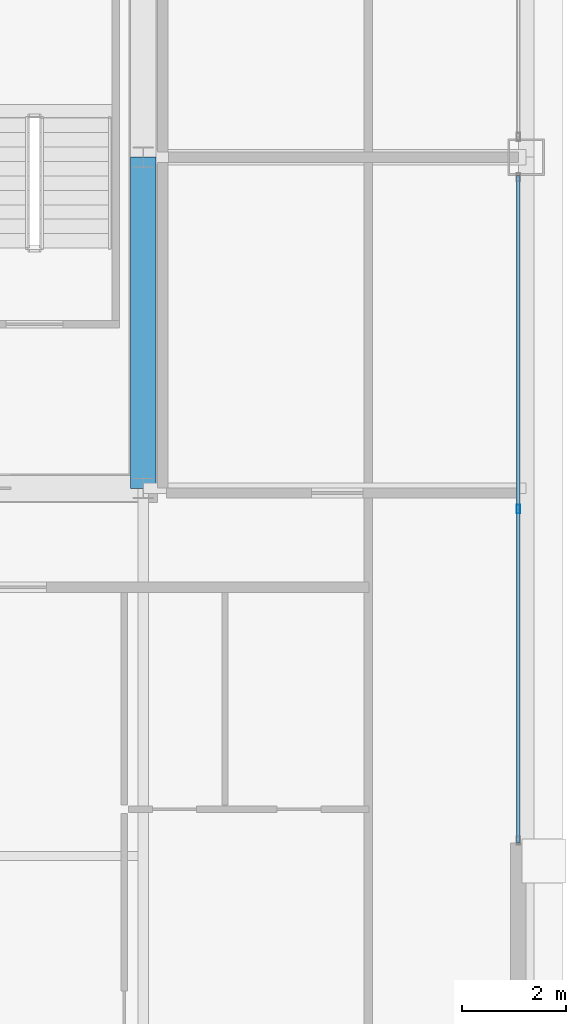
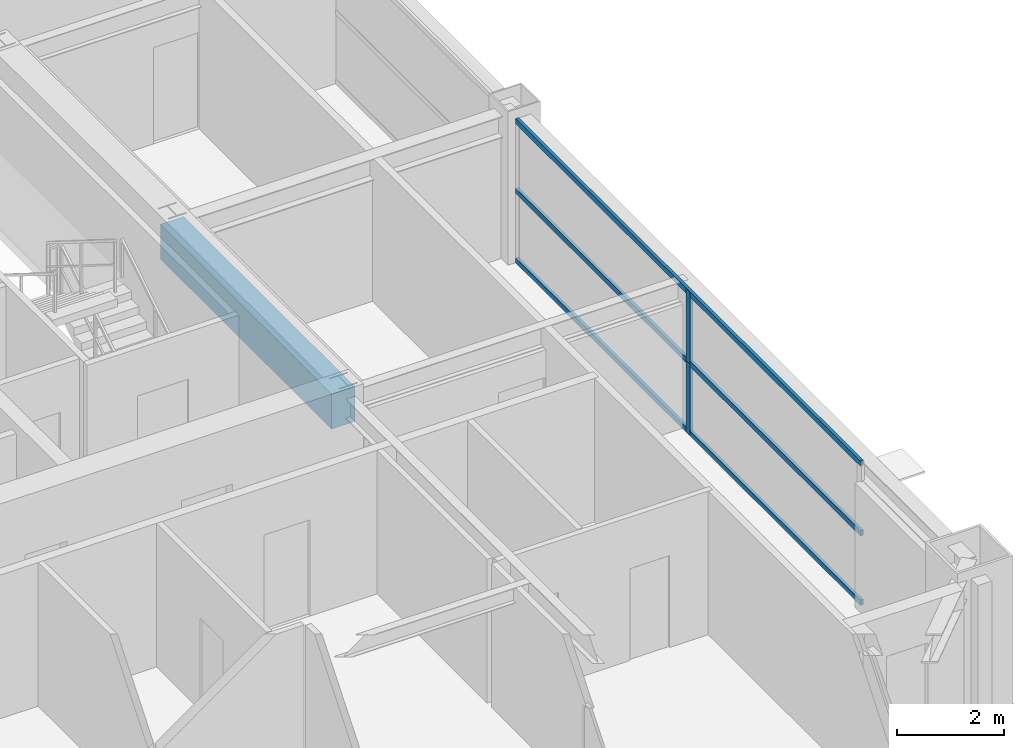
# One storey, part 19 of 36: 5 members, 1 beam, 1 element without a shape of its own.
"""IFC4 building model written with IfcOpenShell, lengths in metres."""

from ifc_helpers import new_model, si_unit, direction, frame, origin, origin_2d, place, context, subcontext, project, spatial, rectangle, hollow_rectangle, extrude, source, transform, mapped, material, layer, layer_set, material_profile, profile_set, type_object, element, aggregate, save


model = new_model("IFC4")

# Units and contexts
model_context = context("Model", 3, precision=1e-05, world=origin(), true_north=direction((0.0, 1.0)))
body_context = subcontext(model_context, "Body", "Model", "MODEL_VIEW")
ifc_project = project(units=[si_unit("LENGTHUNIT", "METRE"), si_unit("AREAUNIT", "SQUARE_METRE"), si_unit("VOLUMEUNIT", "CUBIC_METRE"), si_unit("PLANEANGLEUNIT", "RADIAN"), si_unit("MASSUNIT", "GRAM", prefix="KILO"), si_unit("THERMODYNAMICTEMPERATUREUNIT", "KELVIN"), si_unit("POWERUNIT", "WATT")], contexts=[model_context])

# Site, building, storey
site_placement = place(None, origin())
site = spatial("IfcSite", under=ifc_project, at=site_placement, CompositionType="ELEMENT")
building_placement = place(site_placement, origin())
building = spatial("IfcBuilding", under=site, at=building_placement, Name="Yuzanri Waterfront Tower", CompositionType="ELEMENT")
storey_placement = place(building_placement, frame((0.0, 0.0, 231.10009765625)))
storey = spatial("IfcBuildingStorey", under=building, at=storey_placement, Name="L61", CompositionType="ELEMENT", Elevation=231.10009765625)

# Beam
ifc_material_1 = material(Name="Concrete C50", Category="concrete")
ifc_material_profile_1 = material_profile(ifc_material_1, rectangle(XDim=0.5, YDim=0.800048828125, at=origin_2d()), Name="RC 500x800")
ifc_profile_set_1 = profile_set([ifc_material_profile_1], Name="Concrete C50")
beam_type = type_object("IfcBeamType", Name="Core Coupling Lintel Concrete C50 500x800", PredefinedType="LINTEL", material=ifc_profile_set_1)
shared_shape_1 = source(origin(), body_context, "Body", "SweptSolid", [
    extrude(rectangle(XDim=0.5, YDim=0.800048828125, at=origin_2d()), origin(), (0.0, 0.0, 1.0), 6.400146484375),
])
beam_placement = place(storey_placement, frame((50.199951171875, 19.39990234375, 2.8798828125), z_axis=(0.0, 1.0, 0.0), x_axis=(-1.0, 0.0, 0.0)))
element("IfcBeam", 1, at=beam_placement, inside=storey, type_object=beam_type, Name="L61 Core Tie Beam CE1", PredefinedType="LINTEL", context=body_context, shape_type="MappedRepresentation", body=[
    mapped(shared_shape_1, transform((0.0, 0.0, 0.0), scale=1.0)),
])

# Curtain wall, members
ifc_material_2 = material(Name="Anodized Architectural Bronze", Category="metal")
ifc_layer = layer(ifc_material_2, 0.159912109375)
ifc_layer_set = layer_set([ifc_layer], Name="Anodized Architectural Bronze")
curtain_wall_type = type_object("IfcCurtainWallType", Name="Anodized Bronze Mid-Rise Residential Acoustic Unitized Curtain Wall 7200", PredefinedType="NOTDEFINED", material=ifc_layer_set)
curtain_wall_placement = place(storey_placement, origin())
curtain_wall = element("IfcCurtainWall", 2, at=curtain_wall_placement, inside=storey, type_object=curtain_wall_type, Name="L61 Curtain Wall CW-L61-EL", PredefinedType="NOTDEFINED")
ifc_material_3 = material(Name="Anodized Architectural Bronze", Category="metal")
ifc_material_profile_2 = material_profile(ifc_material_3, hollow_rectangle(XDim=0.06494140625, YDim=0.159912109375, WallThickness=0.00341796875, at=origin_2d()), Name="CWM 65x160")
ifc_profile_set_2 = profile_set([ifc_material_profile_2], Name="Anodized Architectural Bronze")
member_type_1 = type_object("IfcMemberType", Name="Anodized Bronze Upper-Zone Curtain-Wall Mullion 65x160", PredefinedType="MULLION", material=ifc_profile_set_2)
shared_shape_2 = source(origin(), body_context, "Body", "SweptSolid", [
    extrude(hollow_rectangle(XDim=0.06494140625, YDim=0.159912109375, WallThickness=0.00341796875, at=origin_2d()), origin(), (0.0, 0.0, 1.0), 1.637939453125),
])
member_1_placement = place(storey_placement, frame((57.449951171875, 19.0, 0.0), z_axis=(0.0, 0.0, 1.0), x_axis=(1.0, 0.0, 0.0)))
member_1 = element("IfcMember", 3, at=member_1_placement, type_object=member_type_1, Name="CW-L61-EL Lower Mullion 01", PredefinedType="MULLION", context=body_context, shape_type="MappedRepresentation", body=[
    mapped(shared_shape_2, transform((0.0, 0.0, 0.0), scale=1.0)),
])
member_2_placement = place(storey_placement, frame((57.449951171875, 19.0, 1.641845703125), z_axis=(0.0, 0.0, 1.0), x_axis=(1.0, 0.0, 0.0)))
member_2 = element("IfcMember", 4, at=member_2_placement, type_object=member_type_1, Name="CW-L61-EL Upper Mullion 01", PredefinedType="MULLION", context=body_context, shape_type="MappedRepresentation", body=[
    mapped(shared_shape_2, transform((0.0, 0.0, 0.0), scale=1.0)),
])
ifc_material_4 = material(Name="Anodized Architectural Bronze", Category="metal")
ifc_material_profile_3 = material_profile(ifc_material_4, hollow_rectangle(XDim=0.06494140625, YDim=0.1201171875, WallThickness=0.00341796875, at=origin_2d()), Name="CWT 65x120")
ifc_profile_set_3 = profile_set([ifc_material_profile_3], Name="Anodized Architectural Bronze")
member_type_2 = type_object("IfcMemberType", Name="Anodized Bronze Secondary Curtain-Wall Transom 65x120", PredefinedType="USERDEFINED", material=ifc_profile_set_3)
shared_shape_3 = source(origin(), body_context, "Body", "SweptSolid", [
    extrude(hollow_rectangle(XDim=0.06494140625, YDim=0.1201171875, WallThickness=0.00341796875, at=origin_2d()), origin(), (0.0, 0.0, 1.0), 12.89990234375),
])
member_3_placement = place(storey_placement, frame((57.449951171875, 12.550048828125, 0.0498046875), z_axis=(0.0, 1.0, 0.0), x_axis=(-1.0, 0.0, 0.0)))
member_3 = element("IfcMember", 5, at=member_3_placement, type_object=member_type_2, Name="CW-L61-EL Transom 1", ObjectType="TRANSOM", PredefinedType="USERDEFINED", context=body_context, shape_type="MappedRepresentation", body=[
    mapped(shared_shape_3, transform((0.0, 0.0, 0.0), scale=1.0)),
])
member_4_placement = place(storey_placement, frame((57.449951171875, 12.550048828125, 1.639892578125), z_axis=(0.0, 1.0, 0.0), x_axis=(-1.0, 0.0, 0.0)))
member_4 = element("IfcMember", 6, at=member_4_placement, type_object=member_type_2, Name="CW-L61-EL Transom 2", ObjectType="TRANSOM", PredefinedType="USERDEFINED", context=body_context, shape_type="MappedRepresentation", body=[
    mapped(shared_shape_3, transform((0.0, 0.0, 0.0), scale=1.0)),
])
member_5_placement = place(storey_placement, frame((57.449951171875, 12.550048828125, 3.22998046875), z_axis=(0.0, 1.0, 0.0), x_axis=(-1.0, 0.0, 0.0)))
member_5 = element("IfcMember", 7, at=member_5_placement, type_object=member_type_2, Name="CW-L61-EL Transom 3", ObjectType="TRANSOM", PredefinedType="USERDEFINED", context=body_context, shape_type="MappedRepresentation", body=[
    mapped(shared_shape_3, transform((0.0, 0.0, 0.0), scale=1.0)),
])
aggregate(curtain_wall, [member_1, member_2, member_3, member_4, member_5])

save(model, "model.ifc")
